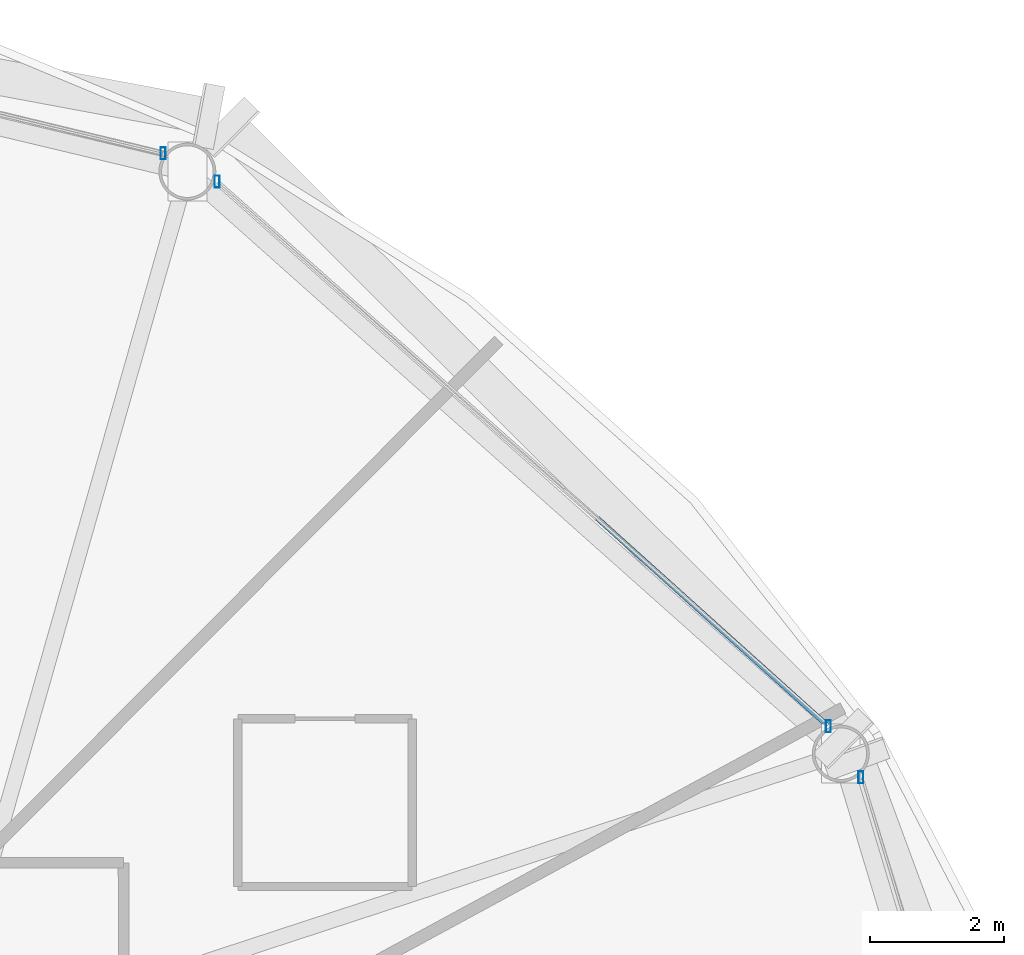
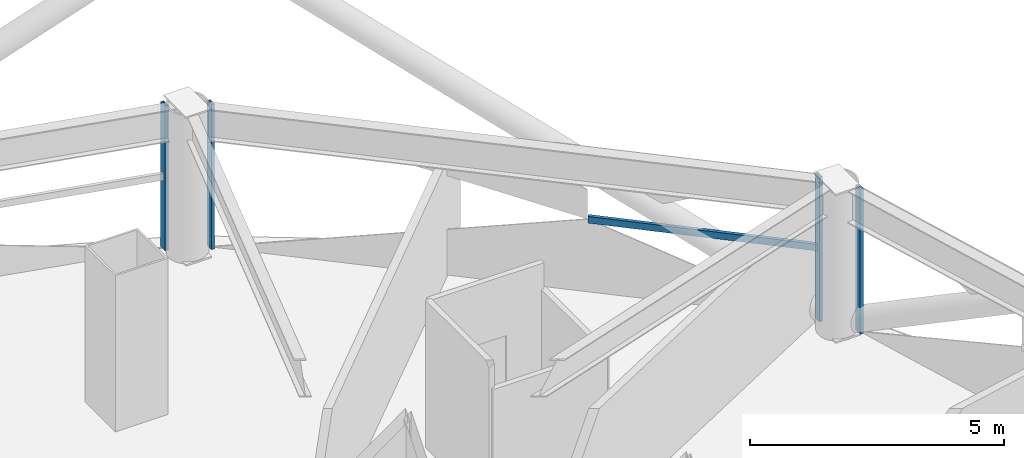
# One storey, part 20 of 30: 5 members, 3 elements without a shape of their own.
"""IFC4 building model written with IfcOpenShell, lengths in metres."""

from ifc_helpers import new_model, si_unit, direction, frame, origin, origin_2d, place, context, subcontext, project, spatial, hollow_rectangle, extrude, material, layer, layer_set, material_profile, profile_set, type_object, element, aggregate, save


model = new_model("IFC4")

# Units and contexts
model_context = context("Model", 3, precision=1e-05, world=origin(), true_north=direction((0.0, 1.0)))
body_context = subcontext(model_context, "Body", "Model", "MODEL_VIEW")
ifc_project = project(units=[si_unit("LENGTHUNIT", "METRE"), si_unit("AREAUNIT", "SQUARE_METRE"), si_unit("VOLUMEUNIT", "CUBIC_METRE"), si_unit("PLANEANGLEUNIT", "RADIAN"), si_unit("MASSUNIT", "GRAM", prefix="KILO")], contexts=[model_context])

# Site, building, storey
site_placement = place(None, origin())
site = spatial("IfcSite", under=ifc_project, at=site_placement, CompositionType="ELEMENT")
building_placement = place(site_placement, origin())
building = spatial("IfcBuilding", under=site, at=building_placement, Name="Vantalir Tower", CompositionType="ELEMENT")
storey_placement = place(building_placement, frame((0.0, 0.0, 49.5)))
storey = spatial("IfcBuildingStorey", under=building, at=storey_placement, Name="L11", CompositionType="ELEMENT", Elevation=49.5)

# Curtain wall, member
ifc_material_1 = material(Name="Champagne-silver PVDF aluminium and double-silver Low-E glass", Category="aluminium")
ifc_layer = layer(ifc_material_1, 0.18994140625)
ifc_layer_set = layer_set([ifc_layer], Name="Champagne-silver PVDF aluminium and double-silver Low-E glass")
curtain_wall_type = type_object("IfcCurtainWallType", Name="CW-DIAMOND-Z1", PredefinedType="USERDEFINED", material=ifc_layer_set)
curtain_wall_1_placement = place(storey_placement, origin())
curtain_wall_1 = element("IfcCurtainWall", 1, at=curtain_wall_1_placement, inside=storey, type_object=curtain_wall_type, Name="L11 Quilted Pyramid-Diamond Curtain Wall S01", ObjectType="UNITISED CURTAIN WALL", PredefinedType="USERDEFINED")
ifc_material_2 = material(Name="Champagne-silver PVDF aluminium 6063-T6", Category="aluminium")
ifc_material_profile_1 = material_profile(ifc_material_2, hollow_rectangle(XDim=0.074951171875, YDim=0.179931640625, WallThickness=0.00390625, at=origin_2d()), Name="Champagne-silver PVDF aluminium 6063-T6")
ifc_profile_set_1 = profile_set([ifc_material_profile_1], Name="Champagne-silver PVDF aluminium 6063-T6")
member_type_1 = type_object("IfcMemberType", Name="CWM-180x75", PredefinedType="MULLION", material=ifc_profile_set_1)
member_1_placement = place(storey_placement, frame((54.8701171875, 36.508056640625, 0.044921875), z_axis=(0.0, 0.0, 1.0), x_axis=(1.0, 0.0, 0.0)))
member_1 = element("IfcMember", 2, at=member_1_placement, type_object=member_type_1, Name="CW-L11-S01 Mullion 2", PredefinedType="MULLION", context=body_context, shape_type="SweptSolid", body=[
    extrude(hollow_rectangle(XDim=0.074951171875, YDim=0.179931640625, WallThickness=0.00390625, at=origin_2d()), origin(), (0.0, 0.0, 1.0), 3.47998046875),
])
aggregate(curtain_wall_1, [member_1])

# Curtain wall, members
curtain_wall_2_placement = place(storey_placement, origin())
curtain_wall_2 = element("IfcCurtainWall", 3, at=curtain_wall_2_placement, inside=storey, type_object=curtain_wall_type, Name="L11 Quilted Pyramid-Diamond Curtain Wall S02", ObjectType="UNITISED CURTAIN WALL", PredefinedType="USERDEFINED")
member_2_placement = place(storey_placement, frame((54.384033203125, 37.27099609375, 0.044921875), z_axis=(0.0, 0.0, 1.0), x_axis=(1.0, 0.0, 0.0)))
member_2 = element("IfcMember", 4, at=member_2_placement, type_object=member_type_1, Name="CW-L11-S02 Mullion 1", PredefinedType="MULLION", context=body_context, shape_type="SweptSolid", body=[
    extrude(hollow_rectangle(XDim=0.074951171875, YDim=0.179931640625, WallThickness=0.00390625, at=origin_2d()), origin(), (0.0, 0.0, 1.0), 3.47998046875),
])
member_3_placement = place(storey_placement, frame((45.26611328125, 45.39892578125, 0.044921875), z_axis=(0.0, 0.0, 1.0), x_axis=(1.0, 0.0, 0.0)))
member_3 = element("IfcMember", 5, at=member_3_placement, type_object=member_type_1, Name="CW-L11-S02 Mullion 2", PredefinedType="MULLION", context=body_context, shape_type="SweptSolid", body=[
    extrude(hollow_rectangle(XDim=0.074951171875, YDim=0.179931640625, WallThickness=0.00390625, at=origin_2d()), origin(), (0.0, 0.0, 1.0), 3.47998046875),
])

# Curtain wall, member
curtain_wall_3_placement = place(storey_placement, origin())
curtain_wall_3 = element("IfcCurtainWall", 6, at=curtain_wall_3_placement, inside=storey, type_object=curtain_wall_type, Name="L11 Quilted Pyramid-Diamond Curtain Wall S03", ObjectType="UNITISED CURTAIN WALL", PredefinedType="USERDEFINED")
member_4_placement = place(storey_placement, frame((44.4580078125, 45.821044921875, 0.044921875), z_axis=(0.0, 0.0, 1.0), x_axis=(1.0, 0.0, 0.0)))
member_4 = element("IfcMember", 7, at=member_4_placement, type_object=member_type_1, Name="CW-L11-S03 Mullion 1", PredefinedType="MULLION", context=body_context, shape_type="SweptSolid", body=[
    extrude(hollow_rectangle(XDim=0.074951171875, YDim=0.179931640625, WallThickness=0.00390625, at=origin_2d()), origin(), (0.0, 0.0, 1.0), 3.47998046875),
])
aggregate(curtain_wall_3, [member_4])

# Member
ifc_material_profile_2 = material_profile(ifc_material_2, hollow_rectangle(XDim=0.074951171875, YDim=0.159912109375, WallThickness=0.00390625, at=origin_2d()), Name="Champagne-silver PVDF aluminium 6063-T6")
ifc_profile_set_2 = profile_set([ifc_material_profile_2], Name="Champagne-silver PVDF aluminium 6063-T6")
member_type_2 = type_object("IfcMemberType", Name="CWT-160x75", PredefinedType="USERDEFINED", material=ifc_profile_set_2)
member_5_placement = place(storey_placement, frame((54.384033203125, 37.27099609375, 1.784912109375), z_axis=(-0.743123962124, 0.669153776734, 0.0), x_axis=(-0.669153776734, -0.743123962124, 0.0)))
member_5 = element("IfcMember", 8, at=member_5_placement, type_object=member_type_2, Name="CW-L11-S02 Pyramid Fold Ridge Transom", ObjectType="TRANSOM", PredefinedType="USERDEFINED", context=body_context, shape_type="SweptSolid", body=[
    extrude(hollow_rectangle(XDim=0.074951171875, YDim=0.159912109375, WallThickness=0.00390625, at=origin_2d()), origin(), (0.0, 0.0, 1.0), 4.63720703125),
])

aggregate(curtain_wall_2, [member_2, member_3, member_5])

save(model, "model.ifc")
